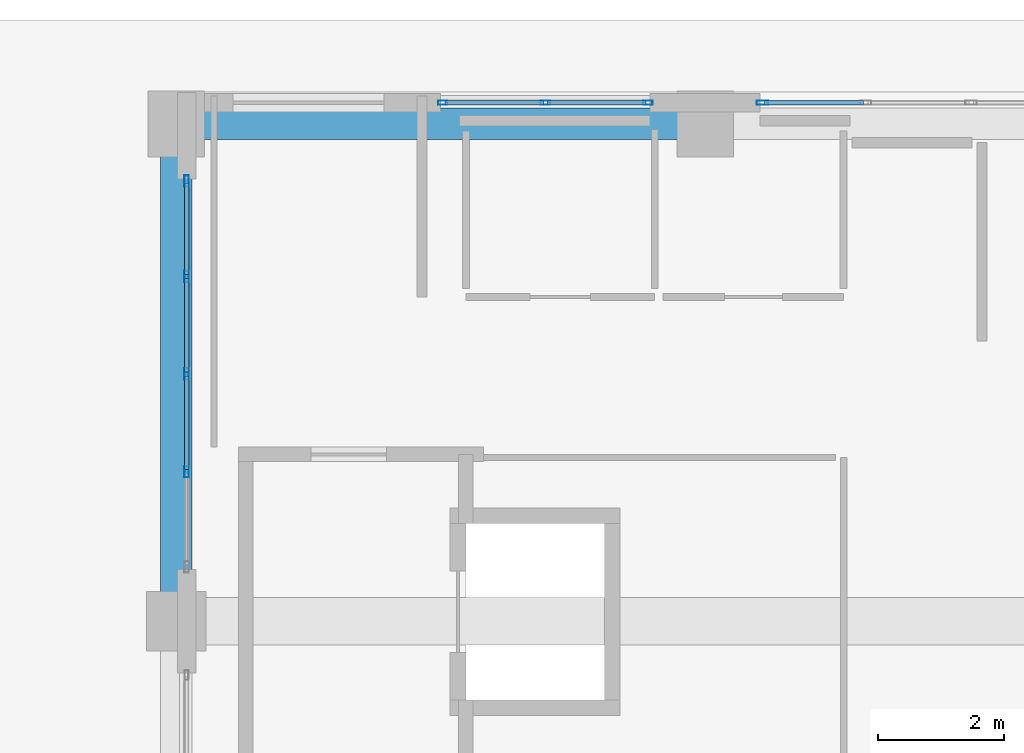
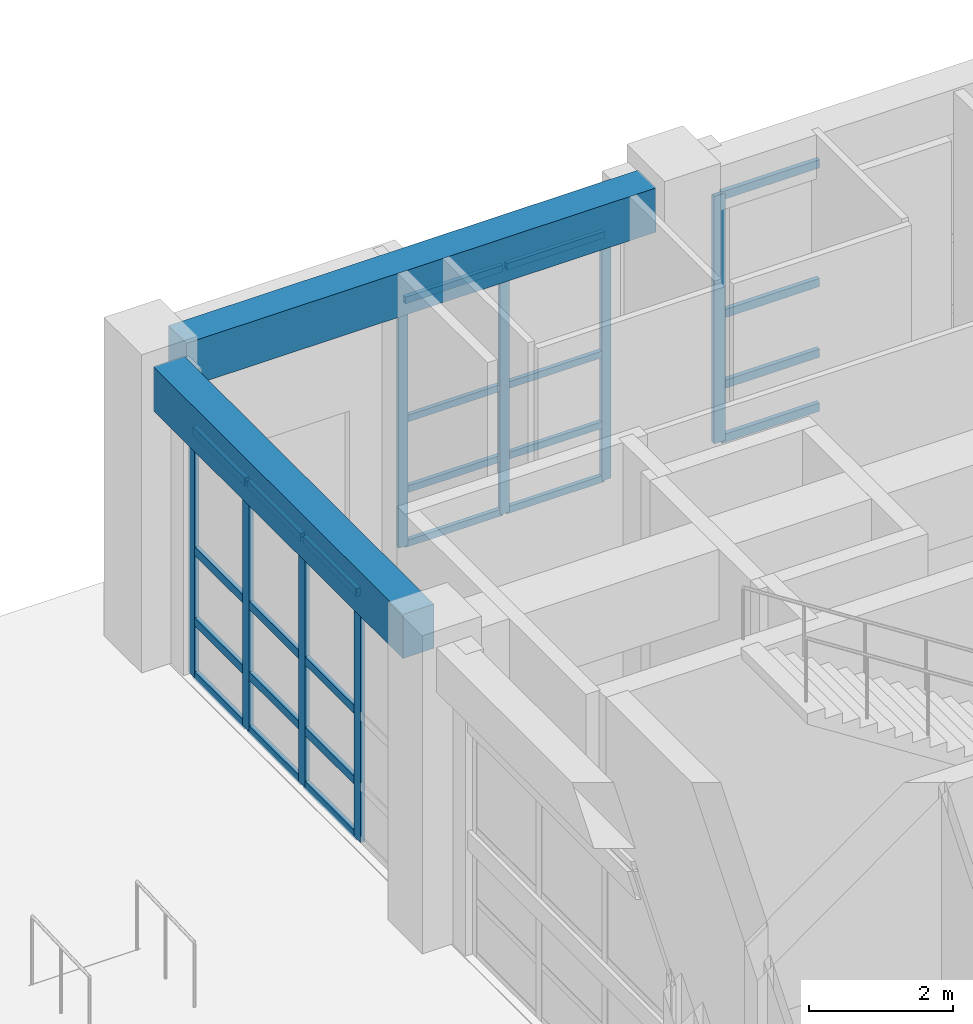
# One storey, part 58 of 148: 32 members, 2 beams, 3 elements without a shape of their own.
"""IFC4 building model written with IfcOpenShell, lengths in metres."""

from ifc_helpers import new_model, si_unit, direction, frame, origin, origin_2d, place, context, subcontext, project, spatial, rectangle, hollow_rectangle, extrude, material, layer, layer_set, material_profile, profile_set, type_object, element, aggregate, save


model = new_model("IFC4")

# Units and contexts
model_context = context("Model", 3, precision=1e-05, world=origin(), true_north=direction((0.0, 1.0)))
body_context = subcontext(model_context, "Body", "Model", "MODEL_VIEW")
ifc_project = project(units=[si_unit("LENGTHUNIT", "METRE"), si_unit("AREAUNIT", "SQUARE_METRE"), si_unit("VOLUMEUNIT", "CUBIC_METRE"), si_unit("PLANEANGLEUNIT", "RADIAN"), si_unit("MASSUNIT", "GRAM", prefix="KILO")], contexts=[model_context])

# Site, building, storey
site_placement = place(None, origin())
site = spatial("IfcSite", under=ifc_project, at=site_placement, CompositionType="ELEMENT")
building_placement = place(site_placement, origin())
building = spatial("IfcBuilding", under=site, at=building_placement, Name="Quendrovan Civic Courthouse", CompositionType="ELEMENT")
storey_placement = place(building_placement, origin())
storey = spatial("IfcBuildingStorey", under=building, at=storey_placement, Name="L01", CompositionType="ELEMENT", Elevation=0.0)

# Beams
ifc_material_1 = material(Name="Concrete C40/50", Category="concrete")
ifc_material_profile_1 = material_profile(ifc_material_1, rectangle(XDim=0.5, YDim=0.75, at=origin_2d()), Name="RC-BM-500x750")
ifc_profile_set_1 = profile_set([ifc_material_profile_1], Name="Concrete C40/50")
beam_type = type_object("IfcBeamType", Name="BM-RC750", PredefinedType="SPANDREL", material=ifc_profile_set_1)
beam_1_placement = place(storey_placement, frame((34.030029296875, 109.89990234375, 4.7451171875), z_axis=(1.0, 0.0, 0.0), x_axis=(0.0, 1.0, 0.0)))
element("IfcBeam", 1, at=beam_1_placement, inside=storey, type_object=beam_type, Name="L01 Girder X0356", PredefinedType="SPANDREL", context=body_context, shape_type="SweptSolid", body=[
    extrude(rectangle(XDim=0.5, YDim=0.75, at=origin_2d()), origin(), (0.0, 0.0, 1.0), 7.5400390625),
])
beam_2_placement = place(storey_placement, frame((33.60009765625, 102.455078125, 4.7451171875), z_axis=(0.0, 1.0, 0.0), x_axis=(-1.0, 0.0, 0.0)))
element("IfcBeam", 2, at=beam_2_placement, inside=storey, type_object=beam_type, Name="L01 Girder Y0409", PredefinedType="SPANDREL", context=body_context, shape_type="SweptSolid", body=[
    extrude(rectangle(XDim=0.5, YDim=0.75, at=origin_2d()), origin(), (0.0, 0.0, 1.0), 6.93994140625),
])

# Curtain wall, members
ifc_material_2 = material(Name="Bronze anodised aluminium and low-E glass", Category="aluminium")
ifc_layer_1 = layer(ifc_material_2, 0.179931640625, Name="Bronze anodised aluminium and low-E glass")
ifc_layer_set_1 = layer_set([ifc_layer_1], Name="Bronze anodised aluminium and low-E glass")
curtain_wall_type_1 = type_object("IfcCurtainWallType", Name="CW-U62x42", PredefinedType="USERDEFINED", material=ifc_layer_set_1)
curtain_wall_1_placement = place(storey_placement, origin())
curtain_wall_1 = element("IfcCurtainWall", 3, at=curtain_wall_1_placement, inside=storey, type_object=curtain_wall_type_1, Name="L01 Unitised Hurricane Curtain Wall CW-024", ObjectType="UNITISED CURTAIN WALL", PredefinedType="USERDEFINED")
ifc_material_3 = material(Name="Bronze anodised aluminium", Category="aluminium")
ifc_material_profile_2 = material_profile(ifc_material_3, hollow_rectangle(XDim=0.070068359375, YDim=0.179931640625, WallThickness=0.00390625, at=origin_2d()), Name="CW-MULL-70x180")
ifc_profile_set_2 = profile_set([ifc_material_profile_2], Name="Bronze anodised aluminium")
member_type_1 = type_object("IfcMemberType", Name="CW-MULL-A", PredefinedType="MULLION", material=ifc_profile_set_2)
member_1_placement = place(storey_placement, frame((33.764892578125, 104.375, 0.0), z_axis=(0.0, 0.0, 1.0), x_axis=(-1.0, 0.0, 0.0)))
member_1 = element("IfcMember", 4, at=member_1_placement, type_object=member_type_1, Name="CW-024 mullion 2", PredefinedType="MULLION", context=body_context, shape_type="SweptSolid", body=[
    extrude(hollow_rectangle(XDim=0.070068359375, YDim=0.179931640625, WallThickness=0.00390625, at=origin_2d()), origin(), (0.0, 0.0, 1.0), 4.199951171875),
])
member_2_placement = place(storey_placement, frame((33.764892578125, 105.925048828125, 0.0), z_axis=(0.0, 0.0, 1.0), x_axis=(-1.0, 0.0, 0.0)))
member_2 = element("IfcMember", 5, at=member_2_placement, type_object=member_type_1, Name="CW-024 mullion 3", PredefinedType="MULLION", context=body_context, shape_type="SweptSolid", body=[
    extrude(hollow_rectangle(XDim=0.070068359375, YDim=0.179931640625, WallThickness=0.00390625, at=origin_2d()), origin(), (0.0, 0.0, 1.0), 4.199951171875),
])
member_3_placement = place(storey_placement, frame((33.764892578125, 107.47509765625, 0.0), z_axis=(0.0, 0.0, 1.0), x_axis=(-1.0, 0.0, 0.0)))
member_3 = element("IfcMember", 6, at=member_3_placement, type_object=member_type_1, Name="CW-024 mullion 4", PredefinedType="MULLION", context=body_context, shape_type="SweptSolid", body=[
    extrude(hollow_rectangle(XDim=0.070068359375, YDim=0.179931640625, WallThickness=0.00390625, at=origin_2d()), origin(), (0.0, 0.0, 1.0), 4.199951171875),
])
member_4_placement = place(storey_placement, frame((33.764892578125, 108.989990234375, 0.0), z_axis=(0.0, 0.0, 1.0), x_axis=(-1.0, 0.0, 0.0)))
member_4 = element("IfcMember", 7, at=member_4_placement, type_object=member_type_1, Name="CW-024 mullion 5", PredefinedType="MULLION", context=body_context, shape_type="SweptSolid", body=[
    extrude(hollow_rectangle(XDim=0.070068359375, YDim=0.179931640625, WallThickness=0.00390625, at=origin_2d()), origin(), (0.0, 0.0, 1.0), 4.199951171875),
])

# Curtain wall, member
ifc_layer_2 = layer(ifc_material_2, 0.179931640625, Name="Bronze anodised aluminium and low-E glass")
ifc_layer_set_2 = layer_set([ifc_layer_2], Name="Bronze anodised aluminium and low-E glass")
curtain_wall_type_2 = type_object("IfcCurtainWallType", Name="CW-U67x42", PredefinedType="USERDEFINED", material=ifc_layer_set_2)
curtain_wall_2_placement = place(storey_placement, origin())
curtain_wall_2 = element("IfcCurtainWall", 8, at=curtain_wall_2_placement, inside=storey, type_object=curtain_wall_type_2, Name="L01 Unitised Hurricane Curtain Wall CW-026", ObjectType="UNITISED CURTAIN WALL", PredefinedType="USERDEFINED")
member_5_placement = place(storey_placement, frame((42.909912109375, 110.235107421875, 0.0), z_axis=(0.0, 0.0, 1.0), x_axis=(0.0, 1.0, 0.0)))
member_5 = element("IfcMember", 9, at=member_5_placement, type_object=member_type_1, Name="CW-026 mullion 1", PredefinedType="MULLION", context=body_context, shape_type="SweptSolid", body=[
    extrude(hollow_rectangle(XDim=0.070068359375, YDim=0.179931640625, WallThickness=0.00390625, at=origin_2d()), origin(), (0.0, 0.0, 1.0), 4.199951171875),
])

# Curtain wall, members
ifc_layer_3 = layer(ifc_material_2, 0.179931640625, Name="Bronze anodised aluminium and low-E glass")
ifc_layer_set_3 = layer_set([ifc_layer_3], Name="Bronze anodised aluminium and low-E glass")
curtain_wall_type_3 = type_object("IfcCurtainWallType", Name="CW-U33x42", PredefinedType="USERDEFINED", material=ifc_layer_set_3)
curtain_wall_3_placement = place(storey_placement, origin())
curtain_wall_3 = element("IfcCurtainWall", 10, at=curtain_wall_3_placement, inside=storey, type_object=curtain_wall_type_3, Name="L01 Unitised Hurricane Curtain Wall CW-025", ObjectType="UNITISED CURTAIN WALL", PredefinedType="USERDEFINED")
ifc_material_profile_3 = material_profile(ifc_material_3, hollow_rectangle(XDim=0.06494140625, YDim=0.14990234375, WallThickness=0.00390625, at=origin_2d()), Name="CW-MULL-65x150")
ifc_profile_set_3 = profile_set([ifc_material_profile_3], Name="Bronze anodised aluminium")
member_type_2 = type_object("IfcMemberType", Name="CW-MULL-B", PredefinedType="MULLION", material=ifc_profile_set_3)
member_6_placement = place(storey_placement, frame((37.83251953125, 110.235107421875, 0.0), z_axis=(0.0, 0.0, 1.0), x_axis=(0.0, 1.0, 0.0)))
member_6 = element("IfcMember", 11, at=member_6_placement, type_object=member_type_2, Name="CW-025 mullion 1", PredefinedType="MULLION", context=body_context, shape_type="SweptSolid", body=[
    extrude(hollow_rectangle(XDim=0.06494140625, YDim=0.14990234375, WallThickness=0.00390625, at=origin_2d()), origin(), (0.0, 0.0, 1.0), 4.199951171875),
])
member_7_placement = place(storey_placement, frame((39.46240234375, 110.235107421875, 0.0), z_axis=(0.0, 0.0, 1.0), x_axis=(0.0, 1.0, 0.0)))
member_7 = element("IfcMember", 12, at=member_7_placement, type_object=member_type_2, Name="CW-025 mullion 2", PredefinedType="MULLION", context=body_context, shape_type="SweptSolid", body=[
    extrude(hollow_rectangle(XDim=0.06494140625, YDim=0.14990234375, WallThickness=0.00390625, at=origin_2d()), origin(), (0.0, 0.0, 1.0), 4.199951171875),
])
member_8_placement = place(storey_placement, frame((41.092529296875, 110.235107421875, 0.0), z_axis=(0.0, 0.0, 1.0), x_axis=(0.0, 1.0, 0.0)))
member_8 = element("IfcMember", 13, at=member_8_placement, type_object=member_type_2, Name="CW-025 mullion 3", PredefinedType="MULLION", context=body_context, shape_type="SweptSolid", body=[
    extrude(hollow_rectangle(XDim=0.06494140625, YDim=0.14990234375, WallThickness=0.00390625, at=origin_2d()), origin(), (0.0, 0.0, 1.0), 4.199951171875),
])

# Member
ifc_material_profile_4 = material_profile(ifc_material_3, hollow_rectangle(XDim=0.070068359375, YDim=0.139892578125, WallThickness=0.00390625, at=origin_2d()), Name="CW-TRAN-70x140")
ifc_profile_set_4 = profile_set([ifc_material_profile_4], Name="Bronze anodised aluminium")
member_type_3 = type_object("IfcMemberType", Name="CW-TRAN-A", PredefinedType="USERDEFINED", material=ifc_profile_set_4)
member_9_placement = place(storey_placement, frame((33.764892578125, 104.409912109375, 0.034912109375), z_axis=(0.0, 1.0, 0.0), x_axis=(-1.0, 0.0, 0.0)))
member_9 = element("IfcMember", 14, at=member_9_placement, type_object=member_type_3, Name="CW-024 transom 2.1", ObjectType="TRANSOM", PredefinedType="USERDEFINED", context=body_context, shape_type="SweptSolid", body=[
    extrude(hollow_rectangle(XDim=0.070068359375, YDim=0.139892578125, WallThickness=0.00390625, at=origin_2d()), origin(), (0.0, 0.0, 1.0), 1.47998046875),
])

member_10_placement = place(storey_placement, frame((33.764892578125, 104.409912109375, 0.949951171875), z_axis=(0.0, 1.0, 0.0), x_axis=(-1.0, 0.0, 0.0)))
member_10 = element("IfcMember", 15, at=member_10_placement, type_object=member_type_3, Name="CW-024 transom 2.2", ObjectType="TRANSOM", PredefinedType="USERDEFINED", context=body_context, shape_type="SweptSolid", body=[
    extrude(hollow_rectangle(XDim=0.070068359375, YDim=0.139892578125, WallThickness=0.00390625, at=origin_2d()), origin(), (0.0, 0.0, 1.0), 1.47998046875),
])

member_11_placement = place(storey_placement, frame((33.764892578125, 104.409912109375, 2.14990234375), z_axis=(0.0, 1.0, 0.0), x_axis=(-1.0, 0.0, 0.0)))
member_11 = element("IfcMember", 16, at=member_11_placement, type_object=member_type_3, Name="CW-024 transom 2.3", ObjectType="TRANSOM", PredefinedType="USERDEFINED", context=body_context, shape_type="SweptSolid", body=[
    extrude(hollow_rectangle(XDim=0.070068359375, YDim=0.139892578125, WallThickness=0.00390625, at=origin_2d()), origin(), (0.0, 0.0, 1.0), 1.47998046875),
])

member_12_placement = place(storey_placement, frame((33.764892578125, 104.409912109375, 4.1650390625), z_axis=(0.0, 1.0, 0.0), x_axis=(-1.0, 0.0, 0.0)))
member_12 = element("IfcMember", 17, at=member_12_placement, type_object=member_type_3, Name="CW-024 transom 2.4", ObjectType="TRANSOM", PredefinedType="USERDEFINED", context=body_context, shape_type="SweptSolid", body=[
    extrude(hollow_rectangle(XDim=0.070068359375, YDim=0.139892578125, WallThickness=0.00390625, at=origin_2d()), origin(), (0.0, 0.0, 1.0), 1.47998046875),
])

member_13_placement = place(storey_placement, frame((33.764892578125, 105.9599609375, 0.034912109375), z_axis=(0.0, 1.0, 0.0), x_axis=(-1.0, 0.0, 0.0)))
member_13 = element("IfcMember", 18, at=member_13_placement, type_object=member_type_3, Name="CW-024 transom 3.1", ObjectType="TRANSOM", PredefinedType="USERDEFINED", context=body_context, shape_type="SweptSolid", body=[
    extrude(hollow_rectangle(XDim=0.070068359375, YDim=0.139892578125, WallThickness=0.00390625, at=origin_2d()), origin(), (0.0, 0.0, 1.0), 1.47998046875),
])

member_14_placement = place(storey_placement, frame((33.764892578125, 105.9599609375, 0.949951171875), z_axis=(0.0, 1.0, 0.0), x_axis=(-1.0, 0.0, 0.0)))
member_14 = element("IfcMember", 19, at=member_14_placement, type_object=member_type_3, Name="CW-024 transom 3.2", ObjectType="TRANSOM", PredefinedType="USERDEFINED", context=body_context, shape_type="SweptSolid", body=[
    extrude(hollow_rectangle(XDim=0.070068359375, YDim=0.139892578125, WallThickness=0.00390625, at=origin_2d()), origin(), (0.0, 0.0, 1.0), 1.47998046875),
])

member_15_placement = place(storey_placement, frame((33.764892578125, 105.9599609375, 2.14990234375), z_axis=(0.0, 1.0, 0.0), x_axis=(-1.0, 0.0, 0.0)))
member_15 = element("IfcMember", 20, at=member_15_placement, type_object=member_type_3, Name="CW-024 transom 3.3", ObjectType="TRANSOM", PredefinedType="USERDEFINED", context=body_context, shape_type="SweptSolid", body=[
    extrude(hollow_rectangle(XDim=0.070068359375, YDim=0.139892578125, WallThickness=0.00390625, at=origin_2d()), origin(), (0.0, 0.0, 1.0), 1.47998046875),
])

member_16_placement = place(storey_placement, frame((33.764892578125, 105.9599609375, 4.1650390625), z_axis=(0.0, 1.0, 0.0), x_axis=(-1.0, 0.0, 0.0)))
member_16 = element("IfcMember", 21, at=member_16_placement, type_object=member_type_3, Name="CW-024 transom 3.4", ObjectType="TRANSOM", PredefinedType="USERDEFINED", context=body_context, shape_type="SweptSolid", body=[
    extrude(hollow_rectangle(XDim=0.070068359375, YDim=0.139892578125, WallThickness=0.00390625, at=origin_2d()), origin(), (0.0, 0.0, 1.0), 1.47998046875),
])

member_17_placement = place(storey_placement, frame((33.764892578125, 107.510009765625, 0.034912109375), z_axis=(0.0, 1.0, 0.0), x_axis=(-1.0, 0.0, 0.0)))
member_17 = element("IfcMember", 22, at=member_17_placement, type_object=member_type_3, Name="CW-024 transom 4.1", ObjectType="TRANSOM", PredefinedType="USERDEFINED", context=body_context, shape_type="SweptSolid", body=[
    extrude(hollow_rectangle(XDim=0.070068359375, YDim=0.139892578125, WallThickness=0.00390625, at=origin_2d()), origin(), (0.0, 0.0, 1.0), 1.445068359375),
])

member_18_placement = place(storey_placement, frame((33.764892578125, 107.510009765625, 0.949951171875), z_axis=(0.0, 1.0, 0.0), x_axis=(-1.0, 0.0, 0.0)))
member_18 = element("IfcMember", 23, at=member_18_placement, type_object=member_type_3, Name="CW-024 transom 4.2", ObjectType="TRANSOM", PredefinedType="USERDEFINED", context=body_context, shape_type="SweptSolid", body=[
    extrude(hollow_rectangle(XDim=0.070068359375, YDim=0.139892578125, WallThickness=0.00390625, at=origin_2d()), origin(), (0.0, 0.0, 1.0), 1.445068359375),
])

member_19_placement = place(storey_placement, frame((33.764892578125, 107.510009765625, 2.14990234375), z_axis=(0.0, 1.0, 0.0), x_axis=(-1.0, 0.0, 0.0)))
member_19 = element("IfcMember", 24, at=member_19_placement, type_object=member_type_3, Name="CW-024 transom 4.3", ObjectType="TRANSOM", PredefinedType="USERDEFINED", context=body_context, shape_type="SweptSolid", body=[
    extrude(hollow_rectangle(XDim=0.070068359375, YDim=0.139892578125, WallThickness=0.00390625, at=origin_2d()), origin(), (0.0, 0.0, 1.0), 1.445068359375),
])

member_20_placement = place(storey_placement, frame((33.764892578125, 107.510009765625, 4.1650390625), z_axis=(0.0, 1.0, 0.0), x_axis=(-1.0, 0.0, 0.0)))
member_20 = element("IfcMember", 25, at=member_20_placement, type_object=member_type_3, Name="CW-024 transom 4.4", ObjectType="TRANSOM", PredefinedType="USERDEFINED", context=body_context, shape_type="SweptSolid", body=[
    extrude(hollow_rectangle(XDim=0.070068359375, YDim=0.139892578125, WallThickness=0.00390625, at=origin_2d()), origin(), (0.0, 0.0, 1.0), 1.445068359375),
])

aggregate(curtain_wall_1, [member_1, member_2, member_3, member_4, member_9, member_10, member_11, member_12, member_13, member_14, member_15, member_16, member_17, member_18, member_19, member_20])

member_21_placement = place(storey_placement, frame((42.945068359375, 110.235107421875, 0.034912109375), z_axis=(1.0, 0.0, 0.0), x_axis=(0.0, 1.0, 0.0)))
member_21 = element("IfcMember", 26, at=member_21_placement, type_object=member_type_3, Name="CW-026 transom 1.1", ObjectType="TRANSOM", PredefinedType="USERDEFINED", context=body_context, shape_type="SweptSolid", body=[
    extrude(hollow_rectangle(XDim=0.070068359375, YDim=0.139892578125, WallThickness=0.00390625, at=origin_2d()), origin(), (0.0, 0.0, 1.0), 1.56982421875),
])

member_22_placement = place(storey_placement, frame((42.945068359375, 110.235107421875, 0.949951171875), z_axis=(1.0, 0.0, 0.0), x_axis=(0.0, 1.0, 0.0)))
member_22 = element("IfcMember", 27, at=member_22_placement, type_object=member_type_3, Name="CW-026 transom 1.2", ObjectType="TRANSOM", PredefinedType="USERDEFINED", context=body_context, shape_type="SweptSolid", body=[
    extrude(hollow_rectangle(XDim=0.070068359375, YDim=0.139892578125, WallThickness=0.00390625, at=origin_2d()), origin(), (0.0, 0.0, 1.0), 1.56982421875),
])

member_23_placement = place(storey_placement, frame((42.945068359375, 110.235107421875, 2.14990234375), z_axis=(1.0, 0.0, 0.0), x_axis=(0.0, 1.0, 0.0)))
member_23 = element("IfcMember", 28, at=member_23_placement, type_object=member_type_3, Name="CW-026 transom 1.3", ObjectType="TRANSOM", PredefinedType="USERDEFINED", context=body_context, shape_type="SweptSolid", body=[
    extrude(hollow_rectangle(XDim=0.070068359375, YDim=0.139892578125, WallThickness=0.00390625, at=origin_2d()), origin(), (0.0, 0.0, 1.0), 1.56982421875),
])

member_24_placement = place(storey_placement, frame((42.945068359375, 110.235107421875, 4.1650390625), z_axis=(1.0, 0.0, 0.0), x_axis=(0.0, 1.0, 0.0)))
member_24 = element("IfcMember", 29, at=member_24_placement, type_object=member_type_3, Name="CW-026 transom 1.4", ObjectType="TRANSOM", PredefinedType="USERDEFINED", context=body_context, shape_type="SweptSolid", body=[
    extrude(hollow_rectangle(XDim=0.070068359375, YDim=0.139892578125, WallThickness=0.00390625, at=origin_2d()), origin(), (0.0, 0.0, 1.0), 1.56982421875),
])

aggregate(curtain_wall_2, [member_5, member_21, member_22, member_23, member_24])

ifc_material_profile_5 = material_profile(ifc_material_3, hollow_rectangle(XDim=0.06494140625, YDim=0.114990234375, WallThickness=0.00390625, at=origin_2d()), Name="CW-TRAN-65x115")
ifc_profile_set_5 = profile_set([ifc_material_profile_5], Name="Bronze anodised aluminium")
member_type_4 = type_object("IfcMemberType", Name="CW-TRAN-B", PredefinedType="USERDEFINED", material=ifc_profile_set_5)
member_25_placement = place(storey_placement, frame((37.864990234375, 110.235107421875, 0.032470703125), z_axis=(1.0, 0.0, 0.0), x_axis=(0.0, 1.0, 0.0)))
member_25 = element("IfcMember", 30, at=member_25_placement, type_object=member_type_4, Name="CW-025 transom 1.1", ObjectType="TRANSOM", PredefinedType="USERDEFINED", context=body_context, shape_type="SweptSolid", body=[
    extrude(hollow_rectangle(XDim=0.06494140625, YDim=0.114990234375, WallThickness=0.00390625, at=origin_2d()), origin(), (0.0, 0.0, 1.0), 1.56494140625),
])

member_26_placement = place(storey_placement, frame((37.864990234375, 110.235107421875, 0.949951171875), z_axis=(1.0, 0.0, 0.0), x_axis=(0.0, 1.0, 0.0)))
member_26 = element("IfcMember", 31, at=member_26_placement, type_object=member_type_4, Name="CW-025 transom 1.2", ObjectType="TRANSOM", PredefinedType="USERDEFINED", context=body_context, shape_type="SweptSolid", body=[
    extrude(hollow_rectangle(XDim=0.06494140625, YDim=0.114990234375, WallThickness=0.00390625, at=origin_2d()), origin(), (0.0, 0.0, 1.0), 1.56494140625),
])

member_27_placement = place(storey_placement, frame((37.864990234375, 110.235107421875, 2.14990234375), z_axis=(1.0, 0.0, 0.0), x_axis=(0.0, 1.0, 0.0)))
member_27 = element("IfcMember", 32, at=member_27_placement, type_object=member_type_4, Name="CW-025 transom 1.3", ObjectType="TRANSOM", PredefinedType="USERDEFINED", context=body_context, shape_type="SweptSolid", body=[
    extrude(hollow_rectangle(XDim=0.06494140625, YDim=0.114990234375, WallThickness=0.00390625, at=origin_2d()), origin(), (0.0, 0.0, 1.0), 1.56494140625),
])

member_28_placement = place(storey_placement, frame((37.864990234375, 110.235107421875, 4.16748046875), z_axis=(1.0, 0.0, 0.0), x_axis=(0.0, 1.0, 0.0)))
member_28 = element("IfcMember", 33, at=member_28_placement, type_object=member_type_4, Name="CW-025 transom 1.4", ObjectType="TRANSOM", PredefinedType="USERDEFINED", context=body_context, shape_type="SweptSolid", body=[
    extrude(hollow_rectangle(XDim=0.06494140625, YDim=0.114990234375, WallThickness=0.00390625, at=origin_2d()), origin(), (0.0, 0.0, 1.0), 1.56494140625),
])

member_29_placement = place(storey_placement, frame((39.4951171875, 110.235107421875, 0.032470703125), z_axis=(1.0, 0.0, 0.0), x_axis=(0.0, 1.0, 0.0)))
member_29 = element("IfcMember", 34, at=member_29_placement, type_object=member_type_4, Name="CW-025 transom 2.1", ObjectType="TRANSOM", PredefinedType="USERDEFINED", context=body_context, shape_type="SweptSolid", body=[
    extrude(hollow_rectangle(XDim=0.06494140625, YDim=0.114990234375, WallThickness=0.00390625, at=origin_2d()), origin(), (0.0, 0.0, 1.0), 1.56494140625),
])

member_30_placement = place(storey_placement, frame((39.4951171875, 110.235107421875, 0.949951171875), z_axis=(1.0, 0.0, 0.0), x_axis=(0.0, 1.0, 0.0)))
member_30 = element("IfcMember", 35, at=member_30_placement, type_object=member_type_4, Name="CW-025 transom 2.2", ObjectType="TRANSOM", PredefinedType="USERDEFINED", context=body_context, shape_type="SweptSolid", body=[
    extrude(hollow_rectangle(XDim=0.06494140625, YDim=0.114990234375, WallThickness=0.00390625, at=origin_2d()), origin(), (0.0, 0.0, 1.0), 1.56494140625),
])

member_31_placement = place(storey_placement, frame((39.4951171875, 110.235107421875, 2.14990234375), z_axis=(1.0, 0.0, 0.0), x_axis=(0.0, 1.0, 0.0)))
member_31 = element("IfcMember", 36, at=member_31_placement, type_object=member_type_4, Name="CW-025 transom 2.3", ObjectType="TRANSOM", PredefinedType="USERDEFINED", context=body_context, shape_type="SweptSolid", body=[
    extrude(hollow_rectangle(XDim=0.06494140625, YDim=0.114990234375, WallThickness=0.00390625, at=origin_2d()), origin(), (0.0, 0.0, 1.0), 1.56494140625),
])

member_32_placement = place(storey_placement, frame((39.4951171875, 110.235107421875, 4.16748046875), z_axis=(1.0, 0.0, 0.0), x_axis=(0.0, 1.0, 0.0)))
member_32 = element("IfcMember", 37, at=member_32_placement, type_object=member_type_4, Name="CW-025 transom 2.4", ObjectType="TRANSOM", PredefinedType="USERDEFINED", context=body_context, shape_type="SweptSolid", body=[
    extrude(hollow_rectangle(XDim=0.06494140625, YDim=0.114990234375, WallThickness=0.00390625, at=origin_2d()), origin(), (0.0, 0.0, 1.0), 1.56494140625),
])

aggregate(curtain_wall_3, [member_6, member_7, member_8, member_25, member_26, member_27, member_28, member_29, member_30, member_31, member_32])

save(model, "model.ifc")
